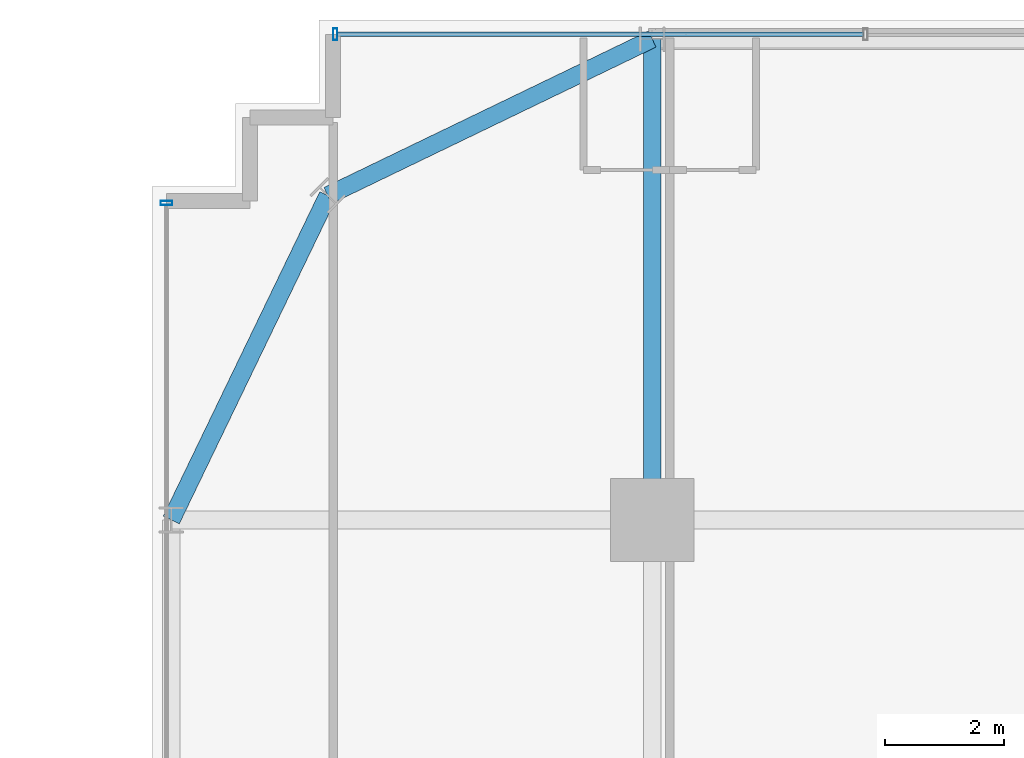
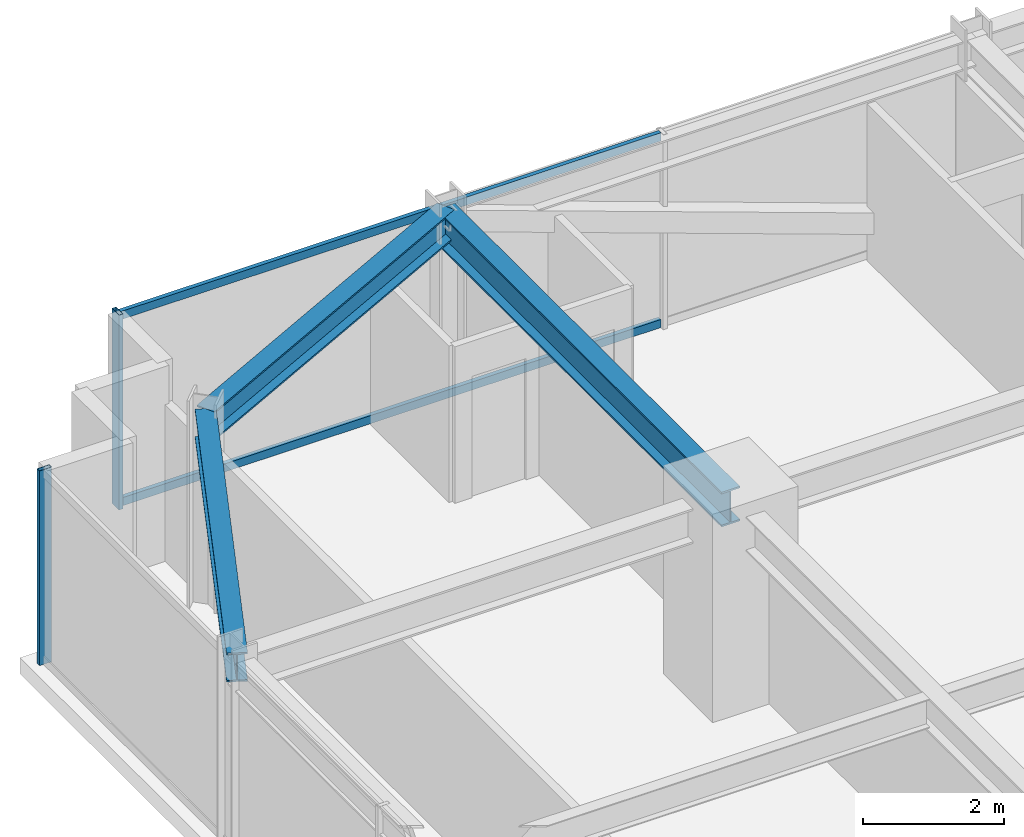
# One storey, part 23 of 37: 4 members, 3 beams, 2 elements without a shape of their own.
"""IFC4 building model written with IfcOpenShell, lengths in metres."""

import ifcopenshell
import ifcopenshell.guid

model = None  # the IFC model being written
_history = None  # IfcOwnerHistory: only IFC2X3 demands one
_inside = {}  # id of a spatial element -> (the spatial element, [elements in it])
_under = {}  # id of a project, library or spatial element -> (it, [spatial elements below it])
_declared = {}  # id of a project -> (the project, [libraries it declares])
_typed = {}  # id of a type object -> (the type object, [elements of that type])
_made_of = {}  # id of a material, layer set ... -> (it, [elements and type objects made of it])


def new_model(schema):
    """Start an empty IFC model of exactly this schema.

    Asked for "IFC4X3", IfcOpenShell would pick the latest addendum, in which some entities
    have other attributes; the version numbers below select the first issue.
    IFC2X3 requires an IfcOwnerHistory on every rooted entity: one is made here for all.
    """
    global model, _history
    if schema == "IFC4X3":
        model = ifcopenshell.file(schema_version=(4, 3, 0, 0))
    else:
        model = ifcopenshell.file(schema=schema)
    _inside.clear()
    _under.clear()
    _declared.clear()
    _typed.clear()
    _made_of.clear()
    _history = None
    if model.schema == "IFC2X3":
        org = make("IfcOrganization", Name="unknown")
        user = make(
            "IfcPersonAndOrganization",
            ThePerson=make("IfcPerson", FamilyName="unknown"),
            TheOrganization=org,
        )
        app = make(
            "IfcApplication",
            ApplicationDeveloper=org,
            Version="unknown",
            ApplicationFullName="unknown",
            ApplicationIdentifier="unknown",
        )
        _history = make(
            "IfcOwnerHistory",
            OwningUser=user,
            OwningApplication=app,
            ChangeAction="ADDED",
            CreationDate=0,
        )
    return model


def make(cls, **values):
    """One entity of the class cls with the attributes given. An attribute that is None is left unset."""
    return model.create_entity(
        cls, **{name: value for name, value in values.items() if value is not None}
    )


def rooted(cls, **values):
    """An entity with a GlobalId (a new one), such as an element, a storey or a relation."""
    return make(cls, GlobalId=ifcopenshell.guid.new(), OwnerHistory=_history, **values)


def si_unit(unit_type, name, prefix=None):
    """IfcSIUnit, for example si_unit("LENGTHUNIT", "METRE", prefix="MILLI")."""
    return make("IfcSIUnit", UnitType=unit_type, Prefix=prefix, Name=name)


def assignment(units):
    """IfcUnitAssignment: the units of a project."""
    return None if units is None else make("IfcUnitAssignment", Units=units)


def point(xyz):
    """IfcCartesianPoint."""
    return None if xyz is None else make("IfcCartesianPoint", Coordinates=xyz)


def direction(xyz):
    """IfcDirection."""
    return None if xyz is None else make("IfcDirection", DirectionRatios=xyz)


def frame(location, z_axis=None, x_axis=None):
    """IfcAxis2Placement3D, a coordinate frame: its origin and axes. An axis left out is left unset."""
    return make(
        "IfcAxis2Placement3D",
        Location=point(location),
        Axis=direction(z_axis),
        RefDirection=direction(x_axis),
    )


def frame_2d(location, x_axis=None):
    """IfcAxis2Placement2D, a coordinate frame in the plane: its origin and x axis."""
    return make(
        "IfcAxis2Placement2D", Location=point(location), RefDirection=direction(x_axis)
    )


def origin():
    """The frame at (0, 0, 0) with its axes left unset."""
    return frame((0.0, 0.0, 0.0))


def origin_2d():
    """The frame at (0, 0) in the plane with its x axis left unset."""
    return frame_2d((0.0, 0.0))


def place(relative_to, where):
    """IfcLocalPlacement: puts the frame where relative to a parent placement (None: the world)."""
    return make(
        "IfcLocalPlacement", PlacementRelTo=relative_to, RelativePlacement=where
    )


def context(
    kind, dimensions, precision=None, world=None, true_north=None, identifier=None
):
    """IfcGeometricRepresentationContext, for example the 3D "Model" context."""
    return make(
        "IfcGeometricRepresentationContext",
        ContextIdentifier=identifier,
        ContextType=kind,
        CoordinateSpaceDimension=dimensions,
        Precision=precision,
        WorldCoordinateSystem=world,
        TrueNorth=true_north,
    )


def subcontext(parent, identifier, kind, view, scale=None):
    """IfcGeometricRepresentationSubContext, for example "Body" below "Model"."""
    return make(
        "IfcGeometricRepresentationSubContext",
        ContextIdentifier=identifier,
        ContextType=kind,
        ParentContext=parent,
        TargetScale=scale,
        TargetView=view,
    )


def project(units=None, contexts=None):
    """IfcProject with its units and contexts."""
    return rooted(
        "IfcProject",
        Name="project",
        RepresentationContexts=contexts,
        UnitsInContext=assignment(units),
    )


def spatial(cls, under=None, at=None, **own):
    """A site, building, storey or space (cls), placed at a placement, below another one or the project."""
    s = rooted(cls, ObjectPlacement=at, **own)
    if under is not None:
        _under.setdefault(under.id(), (under, []))[1].append(s)
    return s


def profile(cls, at=None, kind="AREA", **sizes):
    """A parametric profile (cls). Its sizes go by their IFC names, for example OverallWidth=200.0."""
    return make(cls, ProfileType=kind, Position=at, **sizes)


def hollow_rectangle(**sizes):
    """IfcRectangleHollowProfileDef."""
    return profile("IfcRectangleHollowProfileDef", **sizes)


def i_section(**sizes):
    """IfcIShapeProfileDef."""
    return profile("IfcIShapeProfileDef", **sizes)


def extrude(swept, where, along, depth):
    """IfcExtrudedAreaSolid: the profile swept, set in the frame where, extruded along a direction by depth."""
    return make(
        "IfcExtrudedAreaSolid",
        SweptArea=swept,
        Position=where,
        ExtrudedDirection=direction(along),
        Depth=depth,
    )


def shape(context_of_items, identifier, shape_type, items):
    """IfcShapeRepresentation: the items that make up one representation, for example the "Body"."""
    return make(
        "IfcShapeRepresentation",
        ContextOfItems=context_of_items,
        RepresentationIdentifier=identifier,
        RepresentationType=shape_type,
        Items=items,
    )


def source(mapping_origin, context_of_items, identifier, shape_type, items):
    """IfcRepresentationMap: a shape defined once, which mapped items show again and again."""
    return make(
        "IfcRepresentationMap",
        MappingOrigin=mapping_origin,
        MappedRepresentation=shape(context_of_items, identifier, shape_type, items),
    )


def transform(
    local_origin,
    x_axis=None,
    y_axis=None,
    z_axis=None,
    scale=None,
    scale2=None,
    scale3=None,
    uniform=True,
):
    """IfcCartesianTransformationOperator3D, or its non-uniform kind. x_axis, y_axis, z_axis: its Axis1, 2, 3."""
    if uniform:
        return make(
            "IfcCartesianTransformationOperator3D",
            Axis1=direction(x_axis),
            Axis2=direction(y_axis),
            LocalOrigin=point(local_origin),
            Scale=scale,
            Axis3=direction(z_axis),
        )
    return make(
        "IfcCartesianTransformationOperator3DnonUniform",
        Axis1=direction(x_axis),
        Axis2=direction(y_axis),
        LocalOrigin=point(local_origin),
        Scale=scale,
        Axis3=direction(z_axis),
        Scale2=scale2,
        Scale3=scale3,
    )


def mapped(mapping_source, mapping_target):
    """IfcMappedItem: shows the shape of a source again, moved by a transform."""
    return make(
        "IfcMappedItem", MappingSource=mapping_source, MappingTarget=mapping_target
    )


def material(Name=None, Category=None):
    """IfcMaterial."""
    return make("IfcMaterial", Name=Name, Category=Category)


def material_profile(
    of_material, cross_section, Name=None, Category=None, Priority=None
):
    """IfcMaterialProfile: a cross section and its material."""
    return make(
        "IfcMaterialProfile",
        Name=Name,
        Material=of_material,
        Profile=cross_section,
        Priority=Priority,
        Category=Category,
    )


def profile_set(profiles, Name=None, composite=None):
    """IfcMaterialProfileSet."""
    return make(
        "IfcMaterialProfileSet",
        Name=Name,
        MaterialProfiles=profiles,
        CompositeProfile=composite,
    )


def made_of(thing, what):
    """Note that an element or type object is made of a material, layer set ...; save() writes the relation."""
    if what is not None:
        _made_of.setdefault(what.id(), (what, []))[1].append(thing)
    return thing


def type_object(cls, material=None, **own):
    """A type object (cls), such as IfcWallType, which elements share."""
    return made_of(rooted(cls, **own), material)


def element(
    cls,
    number,
    at=None,
    inside=None,
    cuts=None,
    type_object=None,
    material=None,
    context=None,
    identifier="Body",
    shape_type=None,
    held_by="IfcProductDefinitionShape",
    body=None,
    shapes=None,
    **own,
):
    """One element of the class cls, such as IfcWall. Its Tag is "e" and its number.

    at: its placement. inside: the storey or other place that contains it. cuts: it is an
    opening in that element (IfcRelVoidsElement). A single representation is given by context,
    identifier, shape_type and body (its items); several are given by shapes. held_by: the class
    of the entity that holds the representations. save() writes the other relations.
    """
    e = rooted(cls, Tag="e%d" % number, ObjectPlacement=at, **own)
    if body is not None:
        shapes = [shape(context, identifier, shape_type, body)]
    if shapes is not None:
        e.Representation = make(held_by, Representations=shapes)
    if inside is not None:
        _inside.setdefault(inside.id(), (inside, []))[1].append(e)
    if cuts is not None:
        rooted(
            "IfcRelVoidsElement", RelatingBuildingElement=cuts, RelatedOpeningElement=e
        )
    if type_object is not None:
        _typed.setdefault(type_object.id(), (type_object, []))[1].append(e)
    return made_of(e, material)


def aggregate(whole, parts):
    """IfcRelAggregates: a whole, such as a stair, and the parts it consists of."""
    return rooted("IfcRelAggregates", RelatingObject=whole, RelatedObjects=parts)


def save(model, path):
    """Write the relations noted so far, then the file.

    IfcRelAggregates (storeys below a building ...), IfcRelContainedInSpatialStructure (elements
    in a storey), IfcRelDefinesByType, IfcRelAssociatesMaterial and IfcRelDeclares: one each for
    every whole, place, type object, material and project.
    """
    for whole, parts in _under.values():
        aggregate(whole, parts)
    for where, things in _inside.values():
        rooted(
            "IfcRelContainedInSpatialStructure",
            RelatedElements=things,
            RelatingStructure=where,
        )
    for kind, things in _typed.values():
        rooted("IfcRelDefinesByType", RelatedObjects=things, RelatingType=kind)
    for what, things in _made_of.values():
        rooted("IfcRelAssociatesMaterial", RelatedObjects=things, RelatingMaterial=what)
    for by, libraries in _declared.values():
        rooted("IfcRelDeclares", RelatingContext=by, RelatedDefinitions=libraries)
    model.write(path)


model = new_model("IFC4")

# Units and contexts
model_context = context("Model", 3, precision=1e-05, world=origin(), true_north=direction((0.0, 1.0)))
body_context = subcontext(model_context, "Body", "Model", "MODEL_VIEW")
ifc_project = project(units=[si_unit("LENGTHUNIT", "METRE"), si_unit("AREAUNIT", "SQUARE_METRE"), si_unit("VOLUMEUNIT", "CUBIC_METRE"), si_unit("PLANEANGLEUNIT", "RADIAN"), si_unit("MASSUNIT", "GRAM", prefix="KILO")], contexts=[model_context])

# Site, building, storey
site_placement = place(None, origin())
site = spatial("IfcSite", under=ifc_project, at=site_placement, CompositionType="ELEMENT")
building_placement = place(site_placement, origin())
building = spatial("IfcBuilding", under=site, at=building_placement, Name="Nahalor Promenade Grand Hotel", CompositionType="ELEMENT")
storey_placement = place(building_placement, frame((0.0, 0.0, 65.25)))
storey = spatial("IfcBuildingStorey", under=building, at=storey_placement, Name="L15", CompositionType="ELEMENT", Elevation=65.25)

# Beams
ifc_material_1 = material(Name="Steel S355JR", Category="steel")
ifc_material_profile_1 = material_profile(ifc_material_1, i_section(OverallWidth=0.3, OverallDepth=0.6, WebThickness=0.0155, FlangeThickness=0.03, at=origin_2d()), Name="HEB 600")
ifc_profile_set_1 = profile_set([ifc_material_profile_1], Name="Steel S355JR")
beam_type_1 = type_object("IfcBeamType", Name="Beam-Girder-HEB600", PredefinedType="BEAM", material=ifc_profile_set_1)
shared_shape_1 = source(origin(), body_context, "Body", "SweptSolid", [
    extrude(i_section(OverallWidth=0.3, OverallDepth=0.6, WebThickness=0.0155, FlangeThickness=0.03, at=origin_2d()), origin(), (0.0, 0.0, 1.0), 8.080078125),
])
beam_placement = place(storey_placement, frame((-17.0, 17.0, 3.070068359375), z_axis=(0.0, 1.0, 0.0), x_axis=(-1.0, 0.0, 0.0)))
element("IfcBeam", 1, at=beam_placement, inside=storey, type_object=beam_type_1, Name="BM-L15-GY-0-4", PredefinedType="BEAM", context=body_context, shape_type="MappedRepresentation", body=[
    mapped(shared_shape_1, transform((0.0, 0.0, 0.0), scale=1.0)),
])
ifc_material_profile_2 = material_profile(ifc_material_1, i_section(OverallWidth=0.3, OverallDepth=0.5, WebThickness=0.0145, FlangeThickness=0.028, at=origin_2d()), Name="HEB 500")
ifc_profile_set_2 = profile_set([ifc_material_profile_2], Name="Steel S355JR")
beam_type_2 = type_object("IfcBeamType", Name="Beam-Spandrel-HEB500", PredefinedType="SPANDREL", material=ifc_profile_set_2)
shared_shape_2 = source(origin(), body_context, "Body", "SweptSolid", [
    extrude(i_section(OverallWidth=0.3, OverallDepth=0.5, WebThickness=0.0145, FlangeThickness=0.028, at=origin_2d()), origin(), (0.0, 0.0, 1.0), 6.051513671875),
])
for number, where, z_axis, x_axis, name in (
    (2, (-17.0, 25.080078125, 3.1201171875), (-0.900608818852, -0.434630596492, 0.0), (0.434630596492, -0.900608818852, 0.0), "BM-L15-SPC-NW-1"),
    (3, (-22.449951171875, 22.449951171875, 3.1201171875), (-0.434630596492, -0.900608818852, 0.0), (0.900608818852, -0.434630596492, 0.0), "BM-L15-SPC-NW-2"),
):
    element("IfcBeam", number, at=place(storey_placement, frame(where, z_axis=z_axis, x_axis=x_axis)), inside=storey, type_object=beam_type_2, Name=name, PredefinedType="SPANDREL", context=body_context, shape_type="MappedRepresentation", body=[
        mapped(shared_shape_2, transform((0.0, 0.0, 0.0), scale=1.0)),
    ])

# Curtain wall, members
ifc_material_2 = material(Name="Anodised Bronze Aluminium EN AW-6063 T6", Category="aluminium")
curtain_wall_type = type_object("IfcCurtainWallType", Name="CW3 Elliptical-Void Collar Unitised Curtain Wall", PredefinedType="USERDEFINED", material=ifc_material_2)
curtain_wall_1_placement = place(storey_placement, origin())
curtain_wall_1 = element("IfcCurtainWall", 4, at=curtain_wall_1_placement, inside=storey, type_object=curtain_wall_type, Name="L15 Curtain Wall CW-L15-N-1", ObjectType="UNITISED_CURTAIN_WALL", PredefinedType="USERDEFINED")
ifc_material_profile_3 = material_profile(ifc_material_2, hollow_rectangle(XDim=0.07, YDim=0.14, WallThickness=0.004, at=origin_2d()), Name="CWT 70x140x4")
ifc_profile_set_3 = profile_set([ifc_material_profile_3], Name="Anodised Bronze Aluminium EN AW-6063 T6")
member_type_1 = type_object("IfcMemberType", Name="CWT3 Void Collar Transom 70x140", PredefinedType="USERDEFINED", material=ifc_profile_set_3)
shared_shape_3 = source(origin(), body_context, "Body", "SweptSolid", [
    extrude(hollow_rectangle(XDim=0.07, YDim=0.14, WallThickness=0.004, at=origin_2d()), origin(), (0.0, 0.0, 1.0), 8.839111328125),
])
member_1_placement = place(storey_placement, frame((-22.2900390625, 25.159912109375, 0.070068359375), z_axis=(1.0, 0.0, 0.0), x_axis=(0.0, 1.0, 0.0)))
member_1 = element("IfcMember", 5, at=member_1_placement, type_object=member_type_1, Name="CW-L15-N-1 Transom 0-0", ObjectType="TRANSOM", PredefinedType="USERDEFINED", context=body_context, shape_type="MappedRepresentation", body=[
    mapped(shared_shape_3, transform((0.0, 0.0, 0.0), scale=1.0)),
])
member_2_placement = place(storey_placement, frame((-22.2900390625, 25.159912109375, 3.300048828125), z_axis=(1.0, 0.0, 0.0), x_axis=(0.0, 1.0, 0.0)))
member_2 = element("IfcMember", 6, at=member_2_placement, type_object=member_type_1, Name="CW-L15-N-1 Transom 0-1", ObjectType="TRANSOM", PredefinedType="USERDEFINED", context=body_context, shape_type="MappedRepresentation", body=[
    mapped(shared_shape_3, transform((0.0, 0.0, 0.0), scale=1.0)),
])
ifc_material_profile_4 = material_profile(ifc_material_2, hollow_rectangle(XDim=0.07, YDim=0.2, WallThickness=0.005, at=origin_2d()), Name="CWM 70x200x5")
ifc_profile_set_4 = profile_set([ifc_material_profile_4], Name="Anodised Bronze Aluminium EN AW-6063 T6")
member_type_2 = type_object("IfcMemberType", Name="CWM3 Void Collar Mullion 70x200", PredefinedType="MULLION", material=ifc_profile_set_4)
shared_shape_4 = source(origin(), body_context, "Body", "SweptSolid", [
    extrude(hollow_rectangle(XDim=0.07, YDim=0.2, WallThickness=0.005, at=origin_2d()), origin(), (0.0, 0.0, 1.0), 3.3701171875),
])
member_3_placement = place(storey_placement, frame((-22.324951171875, 25.159912109375, 0.0), z_axis=(0.0, 0.0, 1.0), x_axis=(1.0, 0.0, 0.0)))
member_3 = element("IfcMember", 7, at=member_3_placement, type_object=member_type_2, Name="CW-L15-N-1 Mullion 0", PredefinedType="MULLION", context=body_context, shape_type="MappedRepresentation", body=[
    mapped(shared_shape_4, transform((0.0, 0.0, 0.0), scale=1.0)),
])
aggregate(curtain_wall_1, [member_3, member_1, member_2])

# Curtain wall, member
curtain_wall_2_placement = place(storey_placement, origin())
curtain_wall_2 = element("IfcCurtainWall", 8, at=curtain_wall_2_placement, inside=storey, type_object=curtain_wall_type, Name="L15 Curtain Wall CW-L15-W-4", ObjectType="UNITISED_CURTAIN_WALL", PredefinedType="USERDEFINED")
member_4_placement = place(storey_placement, frame((-25.159912109375, 22.324951171875, 0.0), z_axis=(0.0, 0.0, 1.0), x_axis=(0.0, 1.0, 0.0)))
member_4 = element("IfcMember", 9, at=member_4_placement, type_object=member_type_2, Name="CW-L15-W-4 Mullion 2", PredefinedType="MULLION", context=body_context, shape_type="MappedRepresentation", body=[
    mapped(shared_shape_4, transform((0.0, 0.0, 0.0), scale=1.0)),
])
aggregate(curtain_wall_2, [member_4])

save(model, "model.ifc")
